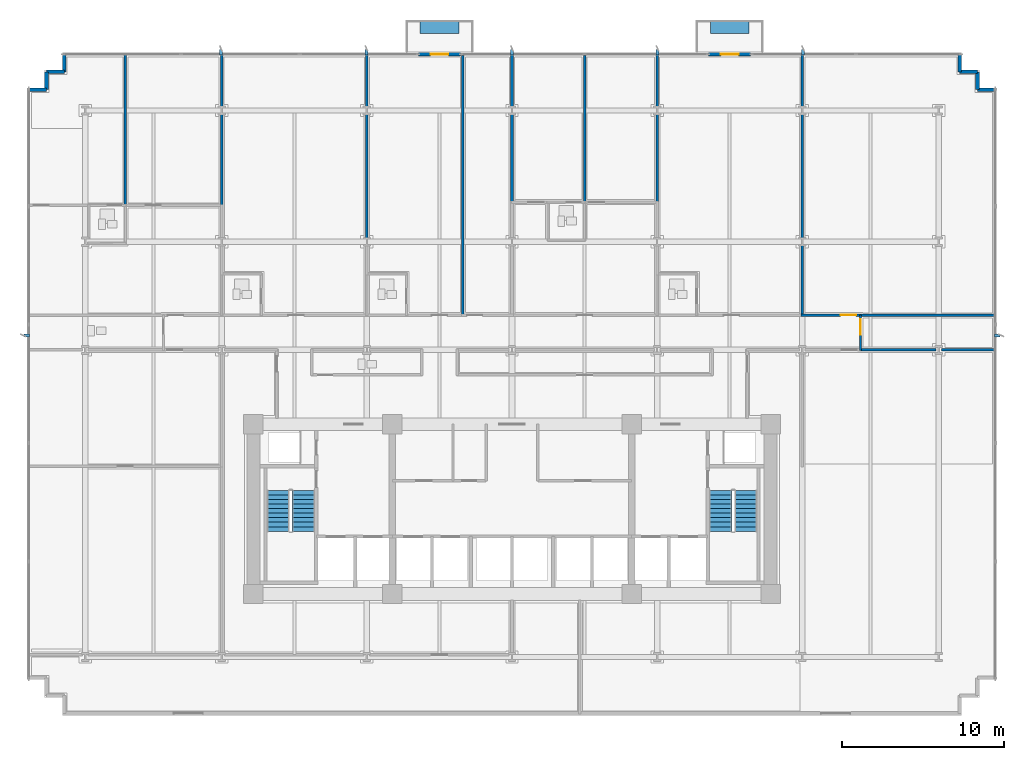
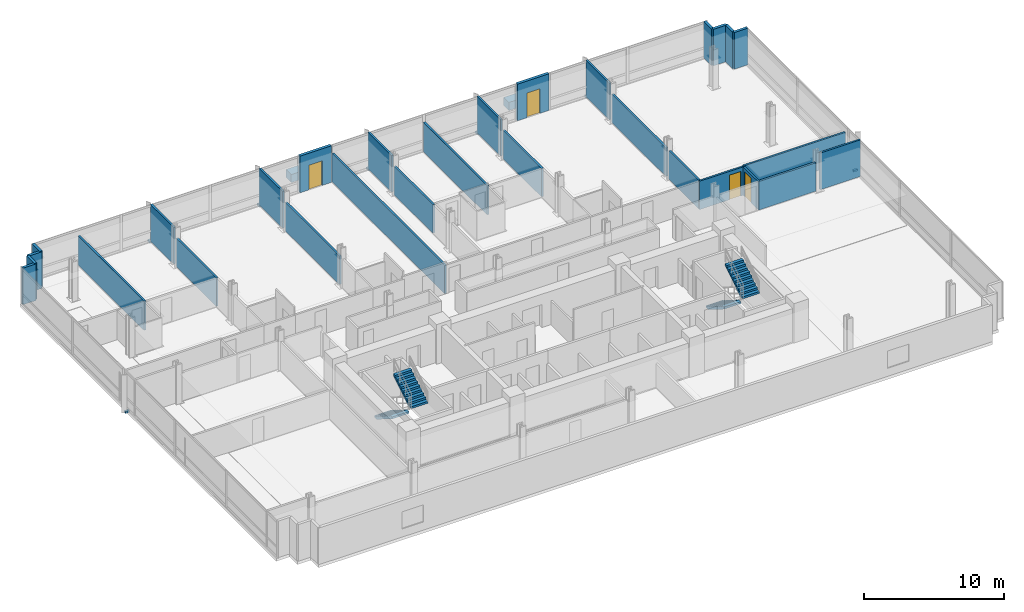
# One storey, part 11 of 16: 29 walls, 9 discrete accessories, 4 doors, 4 stair flights, 4 openings, 2 elements without a shape of their own.
"""IFC4 building model written with IfcOpenShell, lengths in metres."""

from ifc_helpers import new_model, si_unit, direction, frame, frame_2d, origin, origin_2d, place, context, subcontext, project, spatial, polyline, rectangle, outline, extrude, material, layer, layer_set, type_object, element, fill, aggregate, save


model = new_model("IFC4")

# Units and contexts
model_context = context("Model", 3, precision=1e-05, world=origin(), true_north=direction((0.0, 1.0)))
body_context = subcontext(model_context, "Body", "Model", "MODEL_VIEW")
ifc_project = project(units=[si_unit("LENGTHUNIT", "METRE"), si_unit("AREAUNIT", "SQUARE_METRE"), si_unit("VOLUMEUNIT", "CUBIC_METRE"), si_unit("PLANEANGLEUNIT", "RADIAN"), si_unit("MASSUNIT", "GRAM", prefix="KILO")], contexts=[model_context])

# Site, building, storey
site_placement = place(None, origin())
site = spatial("IfcSite", under=ifc_project, at=site_placement, CompositionType="ELEMENT")
building_placement = place(site_placement, origin())
building = spatial("IfcBuilding", under=site, at=building_placement, Name="Solmavex Isthmus Hotel", CompositionType="ELEMENT")
storey_placement = place(building_placement, frame((0.0, 0.0, 36.75)))
storey = spatial("IfcBuildingStorey", under=building, at=storey_placement, Name="L09", CompositionType="ELEMENT", Elevation=36.75)

# Wall, opening, door
ifc_material_1 = material(Name="Precast Concrete C40/50", Category="concrete")
ifc_layer_1 = layer(ifc_material_1, 0.25)
ifc_layer_set_1 = layer_set([ifc_layer_1], Name="Precast Concrete C40/50")
wall_type_1 = type_object("IfcWallType", Name="EW-TWR-250", PredefinedType="STANDARD", material=ifc_layer_set_1)
wall_1_placement = place(storey_placement, frame((-5.7880859375, 20.3798828125, 0.0), z_axis=(0.0, 0.0, 1.0), x_axis=(1.0, 0.0, 0.0)))
wall_1 = element("IfcWall", 1, at=wall_1_placement, inside=storey, type_object=wall_type_1, Name="Exterior Balcony Door Wall L09-2", PredefinedType="STANDARD", context=body_context, shape_type="SweptSolid", body=[
    extrude(rectangle(XDim=2.60009765625, YDim=0.239990234375, at=frame_2d((1.300048828125, 0.0))), origin(), (0.0, 0.0, 1.0), 3.18994140625),
])
opening_1_placement = place(wall_1_placement, frame((0.75, 0.0, 0.0)))
opening_1 = element("IfcOpeningElement", 2, at=opening_1_placement, cuts=wall_1, Name="Opening ED-02", PredefinedType="OPENING", context=body_context, shape_type="SweptSolid", body=[
    extrude(rectangle(XDim=1.10009765625, YDim=2.14990234375, at=frame_2d((0.550048828125, 1.074951171875))), frame((0.0, 0.1298828125, 0.0), z_axis=(0.0, -1.0, 0.0), x_axis=(1.0, 0.0, 0.0)), (0.0, 0.0, 1.0), 0.260009765625),
])
ifc_material_2 = material(Name="Aluminium alloy 6063-T6", Category="aluminium")
door_type_1 = type_object("IfcDoorType", Name="EDR-BALC-1100", OperationType="NOTDEFINED", PredefinedType="DOOR", material=ifc_material_2)
door_1_placement = place(opening_1_placement, origin())
door_1 = element("IfcDoor", 3, at=door_1_placement, inside=storey, type_object=door_type_1, Name="Balcony & Terrace Glazed Door L09-2", OperationType="SINGLE_SWING_RIGHT", OverallHeight=2.14990234375, OverallWidth=1.10009765625, PredefinedType="DOOR", context=body_context, shape_type="SweptSolid", body=[
    extrude(rectangle(XDim=1.10009765625, YDim=2.14990234375, at=frame_2d((0.550048828125, 1.074951171875))), frame((0.0, 0.02490234375, 0.0), z_axis=(0.0, -1.0, 0.0), x_axis=(1.0, 0.0, 0.0)), (0.0, 0.0, 1.0), 0.050048828125),
])
fill(opening_1, door_1)

wall_2_placement = place(storey_placement, frame((12.1640625, 20.3798828125, 0.0), z_axis=(0.0, 0.0, 1.0), x_axis=(1.0, 0.0, 0.0)))
wall_2 = element("IfcWall", 4, at=wall_2_placement, inside=storey, type_object=wall_type_1, Name="Exterior Balcony Door Wall L09-3", PredefinedType="STANDARD", context=body_context, shape_type="SweptSolid", body=[
    extrude(rectangle(XDim=2.599853515625, YDim=0.239990234375, at=frame_2d((1.2998046875, 0.0))), origin(), (0.0, 0.0, 1.0), 3.18994140625),
])
opening_2_placement = place(wall_2_placement, frame((0.75, 0.0, 0.0)))
opening_2 = element("IfcOpeningElement", 5, at=opening_2_placement, cuts=wall_2, Name="Opening ED-02", PredefinedType="OPENING", context=body_context, shape_type="SweptSolid", body=[
    extrude(rectangle(XDim=1.10009765625, YDim=2.14990234375, at=frame_2d((0.550048828125, 1.074951171875))), frame((0.0, 0.1298828125, 0.0), z_axis=(0.0, -1.0, 0.0), x_axis=(1.0, 0.0, 0.0)), (0.0, 0.0, 1.0), 0.260009765625),
])
door_2_placement = place(opening_2_placement, origin())
door_2 = element("IfcDoor", 6, at=door_2_placement, inside=storey, type_object=door_type_1, Name="Balcony & Terrace Glazed Door L09-3", OperationType="SINGLE_SWING_LEFT", OverallHeight=2.14990234375, OverallWidth=1.10009765625, PredefinedType="DOOR", context=body_context, shape_type="SweptSolid", body=[
    extrude(rectangle(XDim=1.10009765625, YDim=2.14990234375, at=frame_2d((0.550048828125, 1.074951171875))), frame((0.0, 0.02490234375, 0.0), z_axis=(0.0, -1.0, 0.0), x_axis=(1.0, 0.0, 0.0)), (0.0, 0.0, 1.0), 0.050048828125),
])
fill(opening_2, door_2)

# Walls
wall_3_placement = place(storey_placement, frame((-29.889892578125, 18.18994140625, 0.0), z_axis=(0.0, 0.0, 1.0), x_axis=(1.0, 0.0, 0.0)))
element("IfcWall", 7, at=wall_3_placement, inside=storey, type_object=wall_type_1, Name="Serrated Corner Facade Panel L09-06", PredefinedType="STANDARD", context=body_context, shape_type="SweptSolid", body=[
    extrude(rectangle(XDim=1.099853515625, YDim=0.219970703125, at=frame_2d((0.5498046875, 0.0))), origin(), (0.0, 0.0, 1.0), 3.18994140625),
])
for number, where, z_axis, x_axis, name in (
    (8, (-28.7900390625, 18.18994140625, 0.0), (0.0, 0.0, 1.0), (0.0, 1.0, 0.0), "Serrated Corner Facade Panel L09-07"),
    (9, (-28.7900390625, 19.2900390625, 0.0), (0.0, 0.0, 1.0), (1.0, 0.0, 0.0), "Serrated Corner Facade Panel L09-08"),
):
    element("IfcWall", number, at=place(storey_placement, frame(where, z_axis=z_axis, x_axis=x_axis)), inside=storey, type_object=wall_type_1, Name=name, PredefinedType="STANDARD", context=body_context, shape_type="SweptSolid", body=[
        extrude(rectangle(XDim=1.10009765625, YDim=0.219970703125, at=frame_2d((0.550048828125, 0.0))), origin(), (0.0, 0.0, 1.0), 3.18994140625),
    ])
for number, where, z_axis, x_axis, name in (
    (10, (-27.68994140625, 19.2900390625, 0.0), (0.0, 0.0, 1.0), (0.0, 1.0, 0.0), "Serrated Corner Facade Panel L09-09"),
    (11, (27.68994140625, 20.389892578125, 0.0), (0.0, 0.0, 1.0), (0.0, -1.0, 0.0), "Serrated Corner Facade Panel L09-11"),
):
    element("IfcWall", number, at=place(storey_placement, frame(where, z_axis=z_axis, x_axis=x_axis)), inside=storey, type_object=wall_type_1, Name=name, PredefinedType="STANDARD", context=body_context, shape_type="SweptSolid", body=[
        extrude(rectangle(XDim=1.099853515625, YDim=0.219970703125, at=frame_2d((0.5498046875, 0.0))), origin(), (0.0, 0.0, 1.0), 3.18994140625),
    ])
for number, where, z_axis, x_axis, name in (
    (12, (27.68994140625, 19.2900390625, 0.0), (0.0, 0.0, 1.0), (1.0, 0.0, 0.0), "Serrated Corner Facade Panel L09-12"),
    (13, (28.7900390625, 19.2900390625, 0.0), (0.0, 0.0, 1.0), (0.0, -1.0, 0.0), "Serrated Corner Facade Panel L09-13"),
):
    element("IfcWall", number, at=place(storey_placement, frame(where, z_axis=z_axis, x_axis=x_axis)), inside=storey, type_object=wall_type_1, Name=name, PredefinedType="STANDARD", context=body_context, shape_type="SweptSolid", body=[
        extrude(rectangle(XDim=1.10009765625, YDim=0.219970703125, at=frame_2d((0.550048828125, 0.0))), origin(), (0.0, 0.0, 1.0), 3.18994140625),
    ])
wall_4_placement = place(storey_placement, frame((28.7900390625, 18.18994140625, 0.0), z_axis=(0.0, 0.0, 1.0), x_axis=(1.0, 0.0, 0.0)))
element("IfcWall", 14, at=wall_4_placement, inside=storey, type_object=wall_type_1, Name="Serrated Corner Facade Panel L09-14", PredefinedType="STANDARD", context=body_context, shape_type="SweptSolid", body=[
    extrude(rectangle(XDim=1.099853515625, YDim=0.219970703125, at=frame_2d((0.5498046875, 0.0))), origin(), (0.0, 0.0, 1.0), 3.18994140625),
])
ifc_material_3 = material(Name="Gypsum plasterboard lining", Category="gypsum")
ifc_layer_2 = layer(ifc_material_3, 0.159912109375)
ifc_layer_set_2 = layer_set([ifc_layer_2], Name="Gypsum plasterboard lining")
wall_type_2 = type_object("IfcWallType", Name="IW-COMP-160", PredefinedType="PARTITIONING", material=ifc_layer_set_2)
wall_5_placement = place(storey_placement, frame((-23.916015625, 20.419921875, 0.0), z_axis=(0.0, 0.0, 1.0), x_axis=(0.0, -1.0, 0.0)))
element("IfcWall", 15, at=wall_5_placement, inside=storey, type_object=wall_type_2, Name="Interior Partition Wall W-L09-P042", PredefinedType="PARTITIONING", context=body_context, shape_type="SweptSolid", body=[
    extrude(rectangle(XDim=9.421875, YDim=0.159912109375, at=frame_2d((4.7109375, 0.0))), origin(), (0.0, 0.0, 1.0), 2.55322265625),
])
wall_6_placement = place(storey_placement, frame((-17.951904296875, 16.72509765625, 0.0), z_axis=(0.0, 0.0, 1.0), x_axis=(0.0, -1.0, 0.0)))
element("IfcWall", 16, at=wall_6_placement, inside=storey, type_object=wall_type_2, Name="Interior Partition Wall W-L09-P044", PredefinedType="PARTITIONING", context=body_context, shape_type="SweptSolid", body=[
    extrude(rectangle(XDim=5.72705078125, YDim=0.159912109375, at=frame_2d((2.863525390625, 0.0))), origin(), (0.0, 0.0, 1.0), 2.4794921875),
])
wall_7_placement = place(storey_placement, frame((-17.951904296875, 20.419921875, 0.0), z_axis=(0.0, 0.0, 1.0), x_axis=(0.0, -1.0, 0.0)))
element("IfcWall", 17, at=wall_7_placement, inside=storey, type_object=wall_type_2, Name="Interior Partition Wall W-L09-P045", PredefinedType="PARTITIONING", context=body_context, shape_type="SweptSolid", body=[
    extrude(rectangle(XDim=3.344970703125, YDim=0.159912109375, at=frame_2d((1.67236328125, 0.0))), origin(), (0.0, 0.0, 1.0), 3.18994140625),
])
wall_8_placement = place(storey_placement, frame((-8.97607421875, 16.72509765625, 0.0), z_axis=(0.0, 0.0, 1.0), x_axis=(0.0, -1.0, 0.0)))
element("IfcWall", 18, at=wall_8_placement, inside=storey, type_object=wall_type_2, Name="Interior Partition Wall W-L09-P049", PredefinedType="PARTITIONING", context=body_context, shape_type="SweptSolid", body=[
    extrude(rectangle(XDim=7.76220703125, YDim=0.159912109375, at=frame_2d((3.881103515625, 0.0))), origin(), (0.0, 0.0, 1.0), 2.4794921875),
])
wall_9_placement = place(storey_placement, frame((-8.97607421875, 20.419921875, 0.0), z_axis=(0.0, 0.0, 1.0), x_axis=(0.0, -1.0, 0.0)))
element("IfcWall", 19, at=wall_9_placement, inside=storey, type_object=wall_type_2, Name="Interior Partition Wall W-L09-P050", PredefinedType="PARTITIONING", context=body_context, shape_type="SweptSolid", body=[
    extrude(rectangle(XDim=3.344970703125, YDim=0.159912109375, at=frame_2d((1.67236328125, 0.0))), origin(), (0.0, 0.0, 1.0), 3.18994140625),
])
wall_10_placement = place(storey_placement, frame((-3.0380859375, 20.300048828125, 0.0), z_axis=(0.0, 0.0, 1.0), x_axis=(0.0, -1.0, 0.0)))
element("IfcWall", 20, at=wall_10_placement, inside=storey, type_object=wall_type_2, Name="Interior Partition Wall W-L09-P054", PredefinedType="PARTITIONING", context=body_context, shape_type="SweptSolid", body=[
    extrude(rectangle(XDim=16.090087890625, YDim=0.159912109375, at=frame_2d((8.044921875, 0.0))), origin(), (0.0, 0.0, 1.0), 2.4794921875),
])
wall_11_placement = place(storey_placement, frame((0.0, 16.72509765625, 0.0), z_axis=(0.0, 0.0, 1.0), x_axis=(0.0, -1.0, 0.0)))
element("IfcWall", 21, at=wall_11_placement, inside=storey, type_object=wall_type_2, Name="Interior Partition Wall W-L09-P057", PredefinedType="PARTITIONING", context=body_context, shape_type="SweptSolid", body=[
    extrude(rectangle(XDim=5.569091796875, YDim=0.159912109375, at=frame_2d((2.78466796875, 0.0))), origin(), (0.0, 0.0, 1.0), 2.4794921875),
])
wall_12_placement = place(storey_placement, frame((0.0, 20.419921875, 0.0), z_axis=(0.0, 0.0, 1.0), x_axis=(0.0, -1.0, 0.0)))
element("IfcWall", 22, at=wall_12_placement, inside=storey, type_object=wall_type_2, Name="Interior Partition Wall W-L09-P058", PredefinedType="PARTITIONING", context=body_context, shape_type="SweptSolid", body=[
    extrude(rectangle(XDim=3.344970703125, YDim=0.159912109375, at=frame_2d((1.67236328125, 0.0))), origin(), (0.0, 0.0, 1.0), 3.18994140625),
])
wall_13_placement = place(storey_placement, frame((4.488037109375, 20.300048828125, 0.0), z_axis=(0.0, 0.0, 1.0), x_axis=(0.0, -1.0, 0.0)))
element("IfcWall", 23, at=wall_13_placement, inside=storey, type_object=wall_type_2, Name="Interior Partition Wall W-L09-P067", PredefinedType="PARTITIONING", context=body_context, shape_type="SweptSolid", body=[
    extrude(rectangle(XDim=9.10205078125, YDim=0.159912109375, at=frame_2d((4.551025390625, 0.0))), origin(), (0.0, 0.0, 1.0), 2.55322265625),
])
wall_14_placement = place(storey_placement, frame((8.97607421875, 16.72509765625, 0.0), z_axis=(0.0, 0.0, 1.0), x_axis=(0.0, -1.0, 0.0)))
element("IfcWall", 24, at=wall_14_placement, inside=storey, type_object=wall_type_2, Name="Interior Partition Wall W-L09-P069", PredefinedType="PARTITIONING", context=body_context, shape_type="SweptSolid", body=[
    extrude(rectangle(XDim=5.527099609375, YDim=0.159912109375, at=frame_2d((2.763671875, 0.0))), origin(), (0.0, 0.0, 1.0), 2.4794921875),
])
wall_15_placement = place(storey_placement, frame((8.97607421875, 20.419921875, 0.0), z_axis=(0.0, 0.0, 1.0), x_axis=(0.0, -1.0, 0.0)))
element("IfcWall", 25, at=wall_15_placement, inside=storey, type_object=wall_type_2, Name="Interior Partition Wall W-L09-P070", PredefinedType="PARTITIONING", context=body_context, shape_type="SweptSolid", body=[
    extrude(rectangle(XDim=3.344970703125, YDim=0.159912109375, at=frame_2d((1.67236328125, 0.0))), origin(), (0.0, 0.0, 1.0), 3.18994140625),
])
wall_16_placement = place(storey_placement, frame((17.951904296875, 8.613037109375, 0.0), z_axis=(0.0, 0.0, 1.0), x_axis=(0.0, -1.0, 0.0)))
element("IfcWall", 26, at=wall_16_placement, inside=storey, type_object=wall_type_2, Name="Interior Partition Wall W-L09-P073", PredefinedType="PARTITIONING", context=body_context, shape_type="SweptSolid", body=[
    extrude(rectangle(XDim=4.403076171875, YDim=0.159912109375, at=frame_2d((2.20166015625, 0.0))), origin(), (0.0, 0.0, 1.0), 2.4794921875),
])
wall_17_placement = place(storey_placement, frame((17.951904296875, 16.72509765625, 0.0), z_axis=(0.0, 0.0, 1.0), x_axis=(0.0, -1.0, 0.0)))
element("IfcWall", 27, at=wall_17_placement, inside=storey, type_object=wall_type_2, Name="Interior Partition Wall W-L09-P074", PredefinedType="PARTITIONING", context=body_context, shape_type="SweptSolid", body=[
    extrude(rectangle(XDim=7.76220703125, YDim=0.159912109375, at=frame_2d((3.881103515625, 0.0))), origin(), (0.0, 0.0, 1.0), 2.4794921875),
])
wall_18_placement = place(storey_placement, frame((17.951904296875, 20.419921875, 0.0), z_axis=(0.0, 0.0, 1.0), x_axis=(0.0, -1.0, 0.0)))
element("IfcWall", 28, at=wall_18_placement, inside=storey, type_object=wall_type_2, Name="Interior Partition Wall W-L09-P075", PredefinedType="PARTITIONING", context=body_context, shape_type="SweptSolid", body=[
    extrude(rectangle(XDim=3.344970703125, YDim=0.159912109375, at=frame_2d((1.67236328125, 0.0))), origin(), (0.0, 0.0, 1.0), 3.18994140625),
])
wall_19_placement = place(storey_placement, frame((29.919921875, 4.22998046875, 0.0), z_axis=(0.0, 0.0, 1.0), x_axis=(-1.0, 0.0, 0.0)))
element("IfcWall", 29, at=wall_19_placement, inside=storey, type_object=wall_type_2, Name="Interior Partition Wall W-L09-P076", PredefinedType="PARTITIONING", context=body_context, shape_type="SweptSolid", body=[
    extrude(rectangle(XDim=8.407958984375, YDim=0.159912109375, at=frame_2d((4.2041015625, 0.0))), origin(), (0.0, 0.0, 1.0), 2.55322265625),
])
wall_20_placement = place(storey_placement, frame((26.22509765625, 2.10009765625, 0.0), z_axis=(0.0, 0.0, 1.0), x_axis=(-1.0, 0.0, 0.0)))
element("IfcWall", 30, at=wall_20_placement, inside=storey, type_object=wall_type_2, Name="Interior Partition Wall W-L09-P079", PredefinedType="PARTITIONING", context=body_context, shape_type="SweptSolid", body=[
    extrude(rectangle(XDim=4.713134765625, YDim=0.159912109375, at=frame_2d((2.3564453125, 0.0))), origin(), (0.0, 0.0, 1.0), 2.4794921875),
])
wall_21_placement = place(storey_placement, frame((29.919921875, 2.10009765625, 0.0), z_axis=(0.0, 0.0, 1.0), x_axis=(-1.0, 0.0, 0.0)))
element("IfcWall", 31, at=wall_21_placement, inside=storey, type_object=wall_type_2, Name="Interior Partition Wall W-L09-P080", PredefinedType="PARTITIONING", context=body_context, shape_type="SweptSolid", body=[
    extrude(rectangle(XDim=3.344970703125, YDim=0.159912109375, at=frame_2d((1.67236328125, 0.0))), origin(), (0.0, 0.0, 1.0), 3.18994140625),
])

# Wall, opening, door
ifc_layer_3 = layer(ifc_material_3, 0.14990234375)
ifc_layer_set_3 = layer_set([ifc_layer_3], Name="Gypsum plasterboard lining")
wall_type_3 = type_object("IfcWallType", Name="IW-CORR-150", PredefinedType="PARTITIONING", material=ifc_layer_set_3)
wall_22_placement = place(storey_placement, frame((17.8701171875, 4.25, 0.0), z_axis=(0.0, 0.0, 1.0), x_axis=(1.0, 0.0, 0.0)))
wall_22 = element("IfcWall", 32, at=wall_22_placement, inside=storey, type_object=wall_type_3, Name="Interior Partition Wall W-L09-P010", PredefinedType="PARTITIONING", context=body_context, shape_type="SweptSolid", body=[
    extrude(rectangle(XDim=3.721923828125, YDim=0.14990234375, at=frame_2d((1.86083984375, 0.0))), origin(), (0.0, 0.0, 1.0), 2.4794921875),
])
opening_3_placement = place(wall_22_placement, frame((2.456787109375, 0.0, 0.0)))
opening_3 = element("IfcOpeningElement", 33, at=opening_3_placement, cuts=wall_22, Name="Opening ID-C095", PredefinedType="OPENING", context=body_context, shape_type="SweptSolid", body=[
    extrude(rectangle(XDim=0.949951171875, YDim=2.14990234375, at=frame_2d((0.47509765625, 1.074951171875))), frame((0.0, 0.0849609375, 0.0), z_axis=(0.0, -1.0, 0.0), x_axis=(1.0, 0.0, 0.0)), (0.0, 0.0, 1.0), 0.169921875),
])
ifc_material_4 = material(Name="Hardwood timber", Category="wood")
door_type_2 = type_object("IfcDoorType", Name="IDR-FD60-0950", OperationType="NOTDEFINED", PredefinedType="DOOR", material=ifc_material_4)
door_3_placement = place(opening_3_placement, origin())
door_3 = element("IfcDoor", 34, at=door_3_placement, inside=storey, type_object=door_type_2, Name="Corporate Briefing Office Door L09-16", OperationType="SINGLE_SWING_RIGHT", OverallHeight=2.14990234375, OverallWidth=0.949951171875, PredefinedType="DOOR", context=body_context, shape_type="SweptSolid", body=[
    extrude(rectangle(XDim=0.949951171875, YDim=2.14990234375, at=frame_2d((0.47509765625, 1.074951171875))), frame((0.0, 0.02490234375, 0.0), z_axis=(0.0, -1.0, 0.0), x_axis=(1.0, 0.0, 0.0)), (0.0, 0.0, 1.0), 0.050048828125),
])
fill(opening_3, door_3)

wall_23_placement = place(storey_placement, frame((21.552001953125, 4.27001953125, 0.0), z_axis=(0.0, 0.0, 1.0), x_axis=(0.0, -1.0, 0.0)))
wall_23 = element("IfcWall", 35, at=wall_23_placement, inside=storey, type_object=wall_type_3, Name="Interior Partition Wall W-L09-P018", PredefinedType="PARTITIONING", context=body_context, shape_type="SweptSolid", body=[
    extrude(rectangle(XDim=2.2099609375, YDim=0.14990234375, at=frame_2d((1.10498046875, 0.0))), origin(), (0.0, 0.0, 1.0), 2.4794921875),
])
opening_4_placement = place(wall_23_placement, frame((0.272216796875, 0.0, 0.0)))
opening_4 = element("IfcOpeningElement", 36, at=opening_4_placement, cuts=wall_23, Name="Opening ID-C095", PredefinedType="OPENING", context=body_context, shape_type="SweptSolid", body=[
    extrude(rectangle(XDim=0.949951171875, YDim=2.14990234375, at=frame_2d((0.47509765625, 1.074951171875))), frame((0.0, 0.0849609375, 0.0), z_axis=(0.0, -1.0, 0.0), x_axis=(1.0, 0.0, 0.0)), (0.0, 0.0, 1.0), 0.169921875),
])
door_4_placement = place(opening_4_placement, origin())
door_4 = element("IfcDoor", 37, at=door_4_placement, inside=storey, type_object=door_type_2, Name="Club Reading Library Door L09-19", OperationType="SINGLE_SWING_LEFT", OverallHeight=2.14990234375, OverallWidth=0.949951171875, PredefinedType="DOOR", context=body_context, shape_type="SweptSolid", body=[
    extrude(rectangle(XDim=0.949951171875, YDim=2.14990234375, at=frame_2d((0.47509765625, 1.074951171875))), frame((0.0, 0.02490234375, 0.0), z_axis=(0.0, -1.0, 0.0), x_axis=(1.0, 0.0, 0.0)), (0.0, 0.0, 1.0), 0.050048828125),
])
fill(opening_4, door_4)

# Stair, stair flights
ifc_material_5 = material(Name="Concrete C40/50", Category="concrete")
stair_type_1 = type_object("IfcStairType", Name="STR-ST-1", PredefinedType="HALF_TURN_STAIR", material=ifc_material_5)
stair_1_placement = place(storey_placement, origin())
stair_1 = element("IfcStair", 38, at=stair_1_placement, inside=storey, type_object=stair_type_1, Name="L09 Protected Exit Stair ST-1", PredefinedType="HALF_TURN_STAIR")
stair_flight_type_1 = type_object("IfcStairFlightType", Name="SFL-ST-1", PredefinedType="STRAIGHT", material=ifc_material_5)
stair_flight_1_placement = place(storey_placement, frame((-14.449951171875, -6.60009765625, 0.0), z_axis=(0.0, 0.0, 1.0), x_axis=(0.0, -1.0, 0.0)))
stair_flight_1 = element("IfcStairFlight", 39, at=stair_flight_1_placement, type_object=stair_flight_type_1, Name="ST-1 flight 1", NumberOfRisers=10, NumberOfTreads=9, PredefinedType="STRAIGHT", RiserHeight=0.1725, TreadLength=0.28, context=body_context, shape_type="SweptSolid", body=[
    extrude(outline(polyline([(0.0, 0.0), (0.0, 0.172607421875), (0.280029296875, 0.172607421875), (0.280029296875, 0.344970703125), (0.56005859375, 0.344970703125), (0.56005859375, 0.517578125), (0.840087890625, 0.517578125), (0.840087890625, 0.68994140625), (1.1201171875, 0.68994140625), (1.1201171875, 0.862548828125), (1.39990234375, 0.862548828125), (1.39990234375, 1.034912109375), (1.679931640625, 1.034912109375), (1.679931640625, 1.20751953125), (1.9599609375, 1.20751953125), (1.9599609375, 1.3798828125), (2.239990234375, 1.3798828125), (2.239990234375, 1.552490234375), (2.52001953125, 1.552490234375), (2.52001953125, 1.72509765625), (2.52001953125, 1.37646484375), (0.285888671875, 0.0), (0.0, 0.0)])), frame((0.0, 0.699951171875, 0.0), z_axis=(0.0, -1.0, 0.0), x_axis=(1.0, 0.0, 0.0)), (0.0, 0.0, 1.0), 1.39990234375),
])
stair_flight_2_placement = place(storey_placement, frame((-12.89990234375, -9.1201171875, 1.72509765625), z_axis=(0.0, 0.0, 1.0), x_axis=(0.0, 1.0, 0.0)))
stair_flight_2 = element("IfcStairFlight", 40, at=stair_flight_2_placement, type_object=stair_flight_type_1, Name="ST-1 flight 2", NumberOfRisers=10, NumberOfTreads=9, PredefinedType="STRAIGHT", RiserHeight=0.1725, TreadLength=0.28, context=body_context, shape_type="SweptSolid", body=[
    extrude(outline(polyline([(0.0, 0.0), (0.0, 0.172607421875), (0.280029296875, 0.172607421875), (0.280029296875, 0.344970703125), (0.56005859375, 0.344970703125), (0.56005859375, 0.517578125), (0.840087890625, 0.517578125), (0.840087890625, 0.68994140625), (1.1201171875, 0.68994140625), (1.1201171875, 0.862548828125), (1.39990234375, 0.862548828125), (1.39990234375, 1.034912109375), (1.679931640625, 1.034912109375), (1.679931640625, 1.20751953125), (1.9599609375, 1.20751953125), (1.9599609375, 1.3798828125), (2.239990234375, 1.3798828125), (2.239990234375, 1.552490234375), (2.52001953125, 1.552490234375), (2.52001953125, 1.72509765625), (2.52001953125, 1.37646484375), (0.285888671875, 0.0), (0.0, 0.0)])), frame((0.0, 0.699951171875, 0.0), z_axis=(0.0, -1.0, 0.0), x_axis=(1.0, 0.0, 0.0)), (0.0, 0.0, 1.0), 1.39990234375),
])
aggregate(stair_1, [stair_flight_1, stair_flight_2])

stair_type_2 = type_object("IfcStairType", Name="STR-ST-2", PredefinedType="HALF_TURN_STAIR", material=ifc_material_5)
stair_2_placement = place(storey_placement, origin())
stair_2 = element("IfcStair", 41, at=stair_2_placement, inside=storey, type_object=stair_type_2, Name="L09 Protected Exit Stair ST-2", PredefinedType="HALF_TURN_STAIR")
stair_flight_type_2 = type_object("IfcStairFlightType", Name="SFL-ST-2", PredefinedType="STRAIGHT", material=ifc_material_5)
stair_flight_3_placement = place(storey_placement, frame((12.89990234375, -6.60009765625, 0.0), z_axis=(0.0, 0.0, 1.0), x_axis=(0.0, -1.0, 0.0)))
stair_flight_3 = element("IfcStairFlight", 42, at=stair_flight_3_placement, type_object=stair_flight_type_2, Name="ST-2 flight 1", NumberOfRisers=10, NumberOfTreads=9, PredefinedType="STRAIGHT", RiserHeight=0.1725, TreadLength=0.28, context=body_context, shape_type="SweptSolid", body=[
    extrude(outline(polyline([(0.0, 0.0), (0.0, 0.172607421875), (0.280029296875, 0.172607421875), (0.280029296875, 0.344970703125), (0.56005859375, 0.344970703125), (0.56005859375, 0.517578125), (0.840087890625, 0.517578125), (0.840087890625, 0.68994140625), (1.1201171875, 0.68994140625), (1.1201171875, 0.862548828125), (1.39990234375, 0.862548828125), (1.39990234375, 1.034912109375), (1.679931640625, 1.034912109375), (1.679931640625, 1.20751953125), (1.9599609375, 1.20751953125), (1.9599609375, 1.3798828125), (2.239990234375, 1.3798828125), (2.239990234375, 1.552490234375), (2.52001953125, 1.552490234375), (2.52001953125, 1.72509765625), (2.52001953125, 1.37646484375), (0.285888671875, 0.0), (0.0, 0.0)])), frame((0.0, 0.699951171875, 0.0), z_axis=(0.0, -1.0, 0.0), x_axis=(1.0, 0.0, 0.0)), (0.0, 0.0, 1.0), 1.39990234375),
])
stair_flight_4_placement = place(storey_placement, frame((14.449951171875, -9.1201171875, 1.72509765625), z_axis=(0.0, 0.0, 1.0), x_axis=(0.0, 1.0, 0.0)))
stair_flight_4 = element("IfcStairFlight", 43, at=stair_flight_4_placement, type_object=stair_flight_type_2, Name="ST-2 flight 2", NumberOfRisers=10, NumberOfTreads=9, PredefinedType="STRAIGHT", RiserHeight=0.1725, TreadLength=0.28, context=body_context, shape_type="SweptSolid", body=[
    extrude(outline(polyline([(0.0, 0.0), (0.0, 0.172607421875), (0.280029296875, 0.172607421875), (0.280029296875, 0.344970703125), (0.56005859375, 0.344970703125), (0.56005859375, 0.517578125), (0.840087890625, 0.517578125), (0.840087890625, 0.68994140625), (1.1201171875, 0.68994140625), (1.1201171875, 0.862548828125), (1.39990234375, 0.862548828125), (1.39990234375, 1.034912109375), (1.679931640625, 1.034912109375), (1.679931640625, 1.20751953125), (1.9599609375, 1.20751953125), (1.9599609375, 1.3798828125), (2.239990234375, 1.3798828125), (2.239990234375, 1.552490234375), (2.52001953125, 1.552490234375), (2.52001953125, 1.72509765625), (2.52001953125, 1.37646484375), (0.285888671875, 0.0), (0.0, 0.0)])), frame((0.0, 0.699951171875, 0.0), z_axis=(0.0, -1.0, 0.0), x_axis=(1.0, 0.0, 0.0)), (0.0, 0.0, 1.0), 1.39990234375),
])
aggregate(stair_2, [stair_flight_3, stair_flight_4])

# Discrete accessories
ifc_material_6 = material(Name="Steel ASTM A572 Grade 50", Category="steel")
discrete_accessory_type_1 = type_object("IfcDiscreteAccessoryType", Name="ACC-BRK-FIN", PredefinedType="BRACKET", material=ifc_material_6)
for number, where, z_axis, x_axis, name in (
    (44, (-18.0, 20.52001953125, -0.169921875), (0.0, 0.0, 1.0), (0.0, 1.0, 0.0), "Facade Fin Support Bracket L09-N1"),
    (45, (-9.0, 20.52001953125, -0.169921875), (0.0, 0.0, 1.0), (0.0, 1.0, 0.0), "Facade Fin Support Bracket L09-N2"),
    (46, (0.0, 20.52001953125, -0.169921875), (0.0, 0.0, 1.0), (0.0, 1.0, 0.0), "Facade Fin Support Bracket L09-N3"),
    (47, (9.0, 20.52001953125, -0.169921875), (0.0, 0.0, 1.0), (0.0, 1.0, 0.0), "Facade Fin Support Bracket L09-N4"),
    (48, (18.0, 20.52001953125, -0.169921875), (0.0, 0.0, 1.0), (0.0, 1.0, 0.0), "Facade Fin Support Bracket L09-N5"),
    (49, (-30.02001953125, 3.0, -0.169921875), (0.0, 0.0, 1.0), (-1.0, 0.0, 0.0), "Facade Fin Support Bracket L09-W1"),
    (50, (30.02001953125, 3.0, -0.169921875), (0.0, 0.0, 1.0), (1.0, 0.0, 0.0), "Facade Fin Support Bracket L09-E1"),
):
    element("IfcDiscreteAccessory", number, at=place(storey_placement, frame(where, z_axis=z_axis, x_axis=x_axis)), inside=storey, type_object=discrete_accessory_type_1, Name=name, PredefinedType="BRACKET", context=body_context, shape_type="SweptSolid", body=[
        extrude(rectangle(XDim=0.340087890625, YDim=0.179931640625, at=origin_2d()), origin(), (0.0, 0.0, 1.0), 0.159912109375),
    ])
discrete_accessory_type_2 = type_object("IfcDiscreteAccessoryType", Name="ACC-PLN-BALC", PredefinedType="USERDEFINED", material=ifc_material_1)
for number, where, z_axis, x_axis, name in (
    (51, (-4.488037109375, 22.050048828125, 0.0), (0.0, 0.0, 1.0), (1.0, 0.0, 0.0), "Tree-Balcony Architectural Planter L09-B1"),
    (52, (13.464111328125, 22.050048828125, 0.0), (0.0, 0.0, 1.0), (1.0, 0.0, 0.0), "Tree-Balcony Architectural Planter L09-B2"),
):
    element("IfcDiscreteAccessory", number, at=place(storey_placement, frame(where, z_axis=z_axis, x_axis=x_axis)), inside=storey, type_object=discrete_accessory_type_2, Name=name, ObjectType="PLANTER", PredefinedType="USERDEFINED", context=body_context, shape_type="SweptSolid", body=[
        extrude(rectangle(XDim=2.39990234375, YDim=0.75, at=origin_2d()), origin(), (0.0, 0.0, 1.0), 0.699951171875),
    ])

save(model, "model.ifc")
